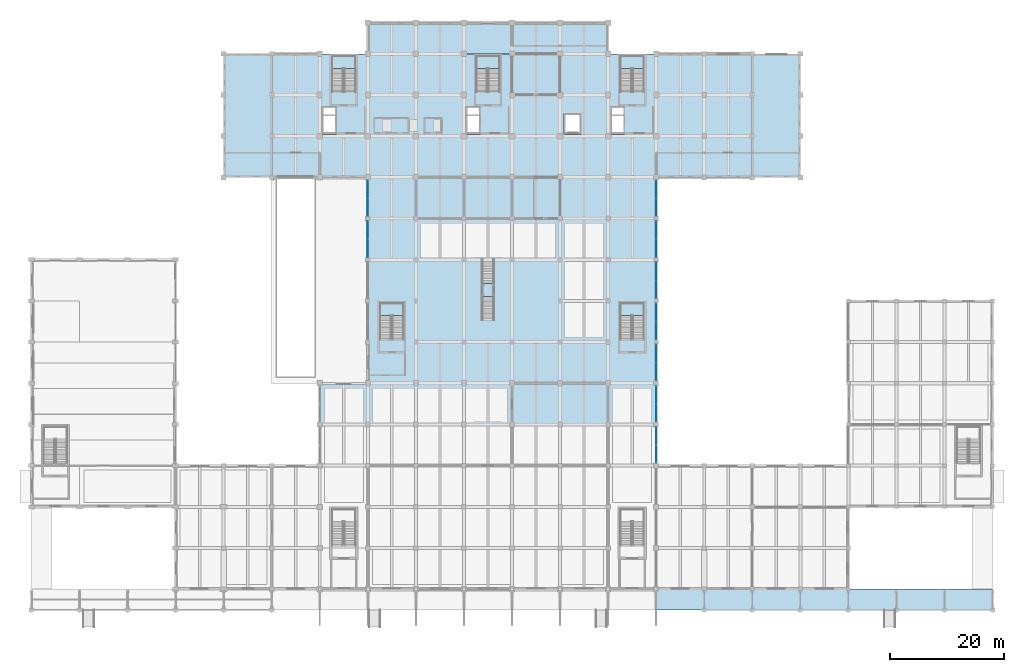
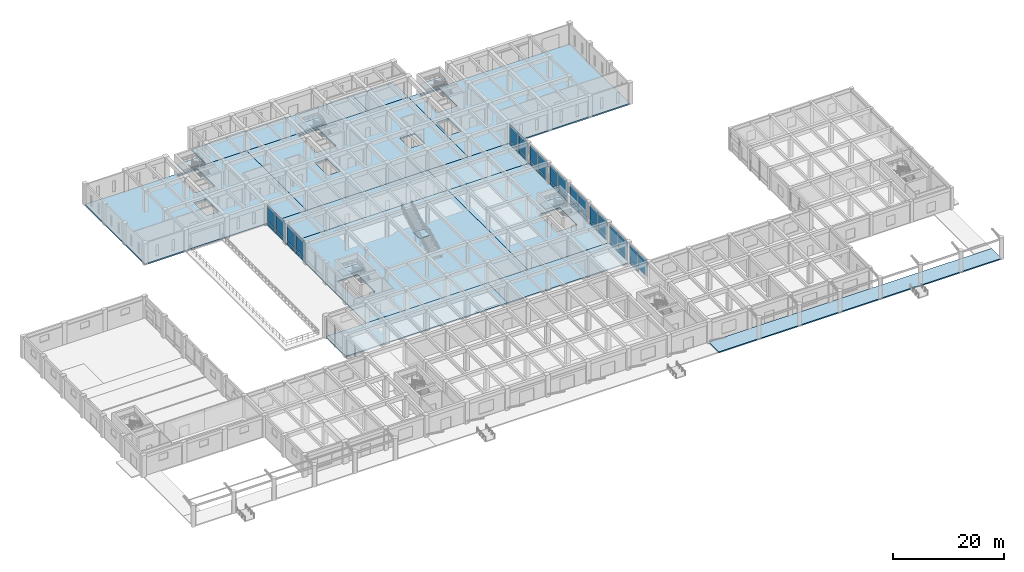
# One storey, part 20 of 49: 35 plates, 18 slabs, 15 elements without a shape of their own.
"""IFC4 building model written with IfcOpenShell, lengths in metres."""

from ifc_helpers import new_model, si_unit, direction, frame, origin, origin_2d, place, context, subcontext, project, spatial, polyline, rectangle, outline, extrude, material, layer, layer_set, type_object, element, aggregate, save


model = new_model("IFC4")

# Units and contexts
model_context = context("Model", 3, precision=1e-05, world=origin(), true_north=direction((0.0, 1.0)))
body_context = subcontext(model_context, "Body", "Model", "MODEL_VIEW")
ifc_project = project(units=[si_unit("LENGTHUNIT", "METRE"), si_unit("AREAUNIT", "SQUARE_METRE"), si_unit("VOLUMEUNIT", "CUBIC_METRE"), si_unit("PLANEANGLEUNIT", "RADIAN"), si_unit("MASSUNIT", "GRAM", prefix="KILO")], contexts=[model_context])

# Site, building, storey
site_placement = place(None, origin())
site = spatial("IfcSite", under=ifc_project, at=site_placement, CompositionType="ELEMENT")
building_placement = place(site_placement, origin())
building = spatial("IfcBuilding", under=site, at=building_placement, Name="Kenerak Square Central Library", CompositionType="ELEMENT")
storey_placement = place(building_placement, origin())
storey = spatial("IfcBuildingStorey", under=building, at=storey_placement, Name="L00", CompositionType="ELEMENT", Elevation=0.0)

# Slabs
ifc_material_1 = material(Name="Concrete C40/50", Category="concrete")
ifc_layer_1 = layer(ifc_material_1, 0.25)
ifc_layer_set_1 = layer_set([ifc_layer_1], Name="Concrete C40/50")
slab_type_1 = type_object("IfcSlabType", Name="Auditorium and Foyer Concourse Slab FS-250 C40/50", PredefinedType="FLOOR", material=ifc_layer_set_1)
slab_1_placement = place(storey_placement, frame((0.0, 0.0, -0.25)))
element("IfcSlab", 1, at=slab_1_placement, inside=storey, type_object=slab_type_1, Name="V1 Floor Slab L00 003", PredefinedType="FLOOR", context=body_context, shape_type="SweptSolid", body=[
    extrude(outline(polyline([(92.0, 45.60009765625), (92.0, 52.800048828125), (58.39990234375, 52.800048828125), (58.39990234375, 45.60009765625), (92.0, 45.60009765625)])), origin(), (0.0, 0.0, 1.0), 0.25),
])
slab_2_placement = place(storey_placement, frame((0.0, 0.0, -0.25)))
element("IfcSlab", 2, at=slab_2_placement, inside=storey, type_object=slab_type_1, Name="V1 Floor Slab L00 006", PredefinedType="FLOOR", context=body_context, shape_type="SweptSolid", body=[
    extrude(outline(polyline([(117.199951171875, 45.60009765625), (117.199951171875, 52.800048828125), (92.0, 52.800048828125), (92.0, 45.60009765625), (117.199951171875, 45.60009765625)])), origin(), (0.0, 0.0, 1.0), 0.25),
])
ifc_layer_2 = layer(ifc_material_1, 0.300048828125)
ifc_layer_set_2 = layer_set([ifc_layer_2], Name="Concrete C40/50")
slab_type_2 = type_object("IfcSlabType", Name="Compact-Shelving Vault Slab FS-300 C40/50", PredefinedType="FLOOR", material=ifc_layer_set_2)
slab_3_placement = place(storey_placement, frame((0.0, 0.0, -0.300048828125)))
element("IfcSlab", 3, at=slab_3_placement, inside=storey, type_object=slab_type_2, Name="V5 Floor Slab L00 070", PredefinedType="FLOOR", context=body_context, shape_type="SweptSolid", body=[
    extrude(outline(polyline([(75.199951171875, 88.800048828125), (75.199951171875, 110.39990234375), (41.60009765625, 110.39990234375), (41.60009765625, 88.800048828125), (75.199951171875, 88.800048828125)]), holes=[polyline([(64.679931640625, 103.64990234375), (64.679931640625, 110.0), (60.52001953125, 110.0), (60.52001953125, 103.64990234375), (64.679931640625, 103.64990234375)]), polyline([(58.800048828125, 96.39990234375), (61.300048828125, 96.39990234375), (61.300048828125, 101.0), (58.800048828125, 101.0), (58.800048828125, 96.39990234375)])]), origin(), (0.0, 0.0, 1.0), 0.300048828125),
])
slab_4_placement = place(storey_placement, frame((0.0, 0.0, -0.300048828125)))
element("IfcSlab", 4, at=slab_4_placement, inside=storey, type_object=slab_type_2, Name="V5 Floor Slab L00 071", PredefinedType="FLOOR", context=body_context, shape_type="SweptSolid", body=[
    extrude(outline(polyline([(108.800048828125, 88.800048828125), (108.800048828125, 110.39990234375), (75.199951171875, 110.39990234375), (75.199951171875, 88.800048828125), (108.800048828125, 88.800048828125)]), holes=[polyline([(89.8798828125, 103.64990234375), (89.8798828125, 110.0), (85.719970703125, 110.0), (85.719970703125, 103.64990234375), (89.8798828125, 103.64990234375)]), polyline([(84.0, 96.39990234375), (86.5, 96.39990234375), (86.5, 101.0), (84.0, 101.0), (84.0, 96.39990234375)]), polyline([(101.10009765625, 96.39990234375), (104.10009765625, 96.39990234375), (104.10009765625, 100.0), (101.10009765625, 100.0), (101.10009765625, 96.39990234375)])]), origin(), (0.0, 0.0, 1.0), 0.300048828125),
])
slab_5_placement = place(storey_placement, frame((0.0, 0.0, -0.300048828125)))
element("IfcSlab", 5, at=slab_5_placement, inside=storey, type_object=slab_type_2, Name="V5 Floor Slab L00 072", PredefinedType="FLOOR", context=body_context, shape_type="SweptSolid", body=[
    extrude(outline(polyline([(142.39990234375, 88.800048828125), (142.39990234375, 110.39990234375), (108.800048828125, 110.39990234375), (108.800048828125, 88.800048828125), (142.39990234375, 88.800048828125)]), holes=[polyline([(115.080078125, 103.64990234375), (115.080078125, 110.0), (110.919921875, 110.0), (110.919921875, 103.64990234375), (115.080078125, 103.64990234375)]), polyline([(109.199951171875, 96.39990234375), (111.699951171875, 96.39990234375), (111.699951171875, 101.0), (109.199951171875, 101.0), (109.199951171875, 96.39990234375)])]), origin(), (0.0, 0.0, 1.0), 0.300048828125),
])
slab_6_placement = place(storey_placement, frame((0.0, 0.0, -0.300048828125)))
element("IfcSlab", 6, at=slab_6_placement, inside=storey, type_object=slab_type_2, Name="V5 Floor Slab L00 073", PredefinedType="FLOOR", context=body_context, shape_type="SweptSolid", body=[
    extrude(outline(polyline([(100.39990234375, 110.39990234375), (100.39990234375, 115.800048828125), (66.800048828125, 115.800048828125), (66.800048828125, 110.39990234375), (100.39990234375, 110.39990234375)])), origin(), (0.0, 0.0, 1.0), 0.300048828125),
])
slab_7_placement = place(storey_placement, frame((0.0, 0.0, -0.300048828125)))
element("IfcSlab", 7, at=slab_7_placement, inside=storey, type_object=slab_type_2, Name="V5 Floor Slab L00 074", PredefinedType="FLOOR", context=body_context, shape_type="SweptSolid", body=[
    extrude(outline(polyline([(108.800048828125, 110.39990234375), (108.800048828125, 115.800048828125), (100.39990234375, 115.800048828125), (100.39990234375, 110.39990234375), (108.800048828125, 110.39990234375)])), origin(), (0.0, 0.0, 1.0), 0.300048828125),
])
ifc_layer_3 = layer(ifc_material_1, 0.22509765625)
ifc_layer_set_3 = layer_set([ifc_layer_3], Name="Concrete C40/50")
slab_type_3 = type_object("IfcSlabType", Name="General Reading Room Slab FS-225 C40/50", PredefinedType="FLOOR", material=ifc_layer_set_3)
slab_8_placement = place(storey_placement, frame((0.0, 0.0, -0.22509765625)))
element("IfcSlab", 8, at=slab_8_placement, inside=storey, type_object=slab_type_3, Name="V4 Floor Slab L00 036", PredefinedType="FLOOR", context=body_context, shape_type="SweptSolid", body=[
    extrude(outline(polyline([(100.39990234375, 52.800048828125), (100.39990234375, 81.60009765625), (66.800048828125, 81.60009765625), (66.800048828125, 52.800048828125), (100.39990234375, 52.800048828125)]), holes=[polyline([(73.080078125, 60.449951171875), (73.080078125, 66.800048828125), (68.919921875, 66.800048828125), (68.919921875, 60.449951171875), (73.080078125, 60.449951171875)])]), origin(), (0.0, 0.0, 1.0), 0.22509765625),
])
slab_9_placement = place(storey_placement, frame((0.0, 0.0, -0.22509765625)))
element("IfcSlab", 9, at=slab_9_placement, inside=storey, type_object=slab_type_3, Name="V4 Floor Slab L00 037", PredefinedType="FLOOR", context=body_context, shape_type="SweptSolid", body=[
    extrude(outline(polyline([(100.39990234375, 81.60009765625), (100.39990234375, 88.800048828125), (66.800048828125, 88.800048828125), (66.800048828125, 81.60009765625), (100.39990234375, 81.60009765625)])), origin(), (0.0, 0.0, 1.0), 0.22509765625),
])
slab_10_placement = place(storey_placement, frame((0.0, 0.0, -0.22509765625)))
element("IfcSlab", 10, at=slab_10_placement, inside=storey, type_object=slab_type_3, Name="V4 Floor Slab L00 038", PredefinedType="FLOOR", context=body_context, shape_type="SweptSolid", body=[
    extrude(outline(polyline([(117.199951171875, 52.800048828125), (117.199951171875, 81.60009765625), (100.39990234375, 81.60009765625), (100.39990234375, 52.800048828125), (117.199951171875, 52.800048828125)]), holes=[polyline([(115.080078125, 60.449951171875), (115.080078125, 66.800048828125), (110.919921875, 66.800048828125), (110.919921875, 60.449951171875), (115.080078125, 60.449951171875)])]), origin(), (0.0, 0.0, 1.0), 0.22509765625),
])
slab_11_placement = place(storey_placement, frame((0.0, 0.0, -0.22509765625)))
element("IfcSlab", 11, at=slab_11_placement, inside=storey, type_object=slab_type_3, Name="V4 Floor Slab L00 039", PredefinedType="FLOOR", context=body_context, shape_type="SweptSolid", body=[
    extrude(outline(polyline([(117.199951171875, 81.60009765625), (117.199951171875, 88.800048828125), (100.39990234375, 88.800048828125), (100.39990234375, 81.60009765625), (117.199951171875, 81.60009765625)])), origin(), (0.0, 0.0, 1.0), 0.22509765625),
])

# Curtain wall, plates
ifc_material_2 = material(Name="Anodised aluminium and solar-control low-E glazing", Category="aluminium")
curtain_wall_type_1 = type_object("IfcCurtainWallType", Name="Curtain Wall CW-V4-64x45 6400x4525", PredefinedType="USERDEFINED", material=ifc_material_2)
curtain_wall_1_placement = place(storey_placement, origin())
curtain_wall_1 = element("IfcCurtainWall", 12, at=curtain_wall_1_placement, inside=storey, type_object=curtain_wall_type_1, Name="Curtain Wall CW-V4-64x45 L00 0005", ObjectType="CURTAIN WALL", PredefinedType="USERDEFINED")
ifc_material_3 = material(Name="Solar-control low-E laminated double glazing", Category="glass")
ifc_layer_4 = layer(ifc_material_3, 0.02392578125)
ifc_layer_set_4 = layer_set([ifc_layer_4], Name="Solar-control low-E laminated double glazing")
plate_type_1 = type_object("IfcPlateType", Name="Low-E Double Glazed Curtain Panel CP-24", PredefinedType="CURTAIN_PANEL", material=ifc_layer_set_4)
plate_1_placement = place(storey_placement, frame((66.800048828125, 76.416259765625, 0.06494140625), z_axis=(0.0, 0.0, 1.0), x_axis=(0.0, 1.0, 0.0)))
plate_1 = element("IfcPlate", 13, at=plate_1_placement, type_object=plate_type_1, Name="CW-V4-64x45 Panel 1.1", PredefinedType="CURTAIN_PANEL", context=body_context, shape_type="SweptSolid", body=[
    extrude(rectangle(XDim=3.1025390625, YDim=0.02392578125, at=origin_2d()), origin(), (0.0, 0.0, 1.0), 0.802490234375),
])
plate_2_placement = place(storey_placement, frame((66.800048828125, 76.416259765625, 0.9326171875), z_axis=(0.0, 0.0, 1.0), x_axis=(0.0, 1.0, 0.0)))
plate_2 = element("IfcPlate", 14, at=plate_2_placement, type_object=plate_type_1, Name="CW-V4-64x45 Panel 1.2", PredefinedType="CURTAIN_PANEL", context=body_context, shape_type="SweptSolid", body=[
    extrude(rectangle(XDim=3.1025390625, YDim=0.02392578125, at=origin_2d()), origin(), (0.0, 0.0, 1.0), 3.527587890625),
])
plate_3_placement = place(storey_placement, frame((66.800048828125, 79.583740234375, 0.06494140625), z_axis=(0.0, 0.0, 1.0), x_axis=(0.0, 1.0, 0.0)))
plate_3 = element("IfcPlate", 15, at=plate_3_placement, type_object=plate_type_1, Name="CW-V4-64x45 Panel 2.1", PredefinedType="CURTAIN_PANEL", context=body_context, shape_type="SweptSolid", body=[
    extrude(rectangle(XDim=3.1025390625, YDim=0.02392578125, at=origin_2d()), origin(), (0.0, 0.0, 1.0), 0.802490234375),
])
plate_4_placement = place(storey_placement, frame((66.800048828125, 79.583740234375, 0.9326171875), z_axis=(0.0, 0.0, 1.0), x_axis=(0.0, 1.0, 0.0)))
plate_4 = element("IfcPlate", 16, at=plate_4_placement, type_object=plate_type_1, Name="CW-V4-64x45 Panel 2.2", PredefinedType="CURTAIN_PANEL", context=body_context, shape_type="SweptSolid", body=[
    extrude(rectangle(XDim=3.1025390625, YDim=0.02392578125, at=origin_2d()), origin(), (0.0, 0.0, 1.0), 3.527587890625),
])
aggregate(curtain_wall_1, [plate_1, plate_2, plate_3, plate_4])

curtain_wall_type_2 = type_object("IfcCurtainWallType", Name="Curtain Wall CW-V4-63x45 6300x4525", PredefinedType="USERDEFINED", material=ifc_material_2)
curtain_wall_2_placement = place(storey_placement, origin())
curtain_wall_2 = element("IfcCurtainWall", 17, at=curtain_wall_2_placement, inside=storey, type_object=curtain_wall_type_2, Name="Curtain Wall CW-V4-63x45 L00 0006", ObjectType="CURTAIN WALL", PredefinedType="USERDEFINED")
plate_5_placement = place(storey_placement, frame((66.800048828125, 83.59130859375, 0.06494140625), z_axis=(0.0, 0.0, 1.0), x_axis=(0.0, 1.0, 0.0)))
plate_5 = element("IfcPlate", 18, at=plate_5_placement, type_object=plate_type_1, Name="CW-V4-63x45 Panel 1.1", PredefinedType="CURTAIN_PANEL", context=body_context, shape_type="SweptSolid", body=[
    extrude(rectangle(XDim=3.052490234375, YDim=0.02392578125, at=origin_2d()), origin(), (0.0, 0.0, 1.0), 0.802490234375),
])
plate_6_placement = place(storey_placement, frame((66.800048828125, 83.59130859375, 0.9326171875), z_axis=(0.0, 0.0, 1.0), x_axis=(0.0, 1.0, 0.0)))
plate_6 = element("IfcPlate", 19, at=plate_6_placement, type_object=plate_type_1, Name="CW-V4-63x45 Panel 1.2", PredefinedType="CURTAIN_PANEL", context=body_context, shape_type="SweptSolid", body=[
    extrude(rectangle(XDim=3.052490234375, YDim=0.02392578125, at=origin_2d()), origin(), (0.0, 0.0, 1.0), 3.527587890625),
])
plate_7_placement = place(storey_placement, frame((66.800048828125, 86.708740234375, 0.06494140625), z_axis=(0.0, 0.0, 1.0), x_axis=(0.0, 1.0, 0.0)))
plate_7 = element("IfcPlate", 20, at=plate_7_placement, type_object=plate_type_1, Name="CW-V4-63x45 Panel 2.1", PredefinedType="CURTAIN_PANEL", context=body_context, shape_type="SweptSolid", body=[
    extrude(rectangle(XDim=3.052490234375, YDim=0.02392578125, at=origin_2d()), origin(), (0.0, 0.0, 1.0), 0.802490234375),
])
plate_8_placement = place(storey_placement, frame((66.800048828125, 86.708740234375, 0.9326171875), z_axis=(0.0, 0.0, 1.0), x_axis=(0.0, 1.0, 0.0)))
plate_8 = element("IfcPlate", 21, at=plate_8_placement, type_object=plate_type_1, Name="CW-V4-63x45 Panel 2.2", PredefinedType="CURTAIN_PANEL", context=body_context, shape_type="SweptSolid", body=[
    extrude(rectangle(XDim=3.052490234375, YDim=0.02392578125, at=origin_2d()), origin(), (0.0, 0.0, 1.0), 3.527587890625),
])
aggregate(curtain_wall_2, [plate_5, plate_6, plate_7, plate_8])

curtain_wall_3_placement = place(storey_placement, origin())
curtain_wall_3 = element("IfcCurtainWall", 22, at=curtain_wall_3_placement, inside=storey, type_object=curtain_wall_type_2, Name="Curtain Wall CW-V4-63x45 L00 0007", ObjectType="CURTAIN WALL", PredefinedType="USERDEFINED")
plate_9_placement = place(storey_placement, frame((117.199951171875, 86.708740234375, 0.06494140625), z_axis=(0.0, 0.0, 1.0), x_axis=(0.0, -1.0, 0.0)))
plate_9 = element("IfcPlate", 23, at=plate_9_placement, type_object=plate_type_1, Name="CW-V4-63x45 Panel 1.1", PredefinedType="CURTAIN_PANEL", context=body_context, shape_type="SweptSolid", body=[
    extrude(rectangle(XDim=3.052490234375, YDim=0.02392578125, at=origin_2d()), origin(), (0.0, 0.0, 1.0), 0.802490234375),
])
plate_10_placement = place(storey_placement, frame((117.199951171875, 86.708740234375, 0.9326171875), z_axis=(0.0, 0.0, 1.0), x_axis=(0.0, -1.0, 0.0)))
plate_10 = element("IfcPlate", 24, at=plate_10_placement, type_object=plate_type_1, Name="CW-V4-63x45 Panel 1.2", PredefinedType="CURTAIN_PANEL", context=body_context, shape_type="SweptSolid", body=[
    extrude(rectangle(XDim=3.052490234375, YDim=0.02392578125, at=origin_2d()), origin(), (0.0, 0.0, 1.0), 3.527587890625),
])
plate_11_placement = place(storey_placement, frame((117.199951171875, 83.59130859375, 0.06494140625), z_axis=(0.0, 0.0, 1.0), x_axis=(0.0, -1.0, 0.0)))
plate_11 = element("IfcPlate", 25, at=plate_11_placement, type_object=plate_type_1, Name="CW-V4-63x45 Panel 2.1", PredefinedType="CURTAIN_PANEL", context=body_context, shape_type="SweptSolid", body=[
    extrude(rectangle(XDim=3.052490234375, YDim=0.02392578125, at=origin_2d()), origin(), (0.0, 0.0, 1.0), 0.802490234375),
])
plate_12_placement = place(storey_placement, frame((117.199951171875, 83.59130859375, 0.9326171875), z_axis=(0.0, 0.0, 1.0), x_axis=(0.0, -1.0, 0.0)))
plate_12 = element("IfcPlate", 26, at=plate_12_placement, type_object=plate_type_1, Name="CW-V4-63x45 Panel 2.2", PredefinedType="CURTAIN_PANEL", context=body_context, shape_type="SweptSolid", body=[
    extrude(rectangle(XDim=3.052490234375, YDim=0.02392578125, at=origin_2d()), origin(), (0.0, 0.0, 1.0), 3.527587890625),
])
aggregate(curtain_wall_3, [plate_9, plate_10, plate_11, plate_12])

curtain_wall_4_placement = place(storey_placement, origin())
curtain_wall_4 = element("IfcCurtainWall", 27, at=curtain_wall_4_placement, inside=storey, type_object=curtain_wall_type_1, Name="Curtain Wall CW-V4-64x45 L00 0008", ObjectType="CURTAIN WALL", PredefinedType="USERDEFINED")
plate_13_placement = place(storey_placement, frame((117.199951171875, 79.583740234375, 0.06494140625), z_axis=(0.0, 0.0, 1.0), x_axis=(0.0, -1.0, 0.0)))
plate_13 = element("IfcPlate", 28, at=plate_13_placement, type_object=plate_type_1, Name="CW-V4-64x45 Panel 1.1", PredefinedType="CURTAIN_PANEL", context=body_context, shape_type="SweptSolid", body=[
    extrude(rectangle(XDim=3.1025390625, YDim=0.02392578125, at=origin_2d()), origin(), (0.0, 0.0, 1.0), 0.802490234375),
])
plate_14_placement = place(storey_placement, frame((117.199951171875, 79.583740234375, 0.9326171875), z_axis=(0.0, 0.0, 1.0), x_axis=(0.0, -1.0, 0.0)))
plate_14 = element("IfcPlate", 29, at=plate_14_placement, type_object=plate_type_1, Name="CW-V4-64x45 Panel 1.2", PredefinedType="CURTAIN_PANEL", context=body_context, shape_type="SweptSolid", body=[
    extrude(rectangle(XDim=3.1025390625, YDim=0.02392578125, at=origin_2d()), origin(), (0.0, 0.0, 1.0), 3.527587890625),
])
plate_15_placement = place(storey_placement, frame((117.199951171875, 76.416259765625, 0.06494140625), z_axis=(0.0, 0.0, 1.0), x_axis=(0.0, -1.0, 0.0)))
plate_15 = element("IfcPlate", 30, at=plate_15_placement, type_object=plate_type_1, Name="CW-V4-64x45 Panel 2.1", PredefinedType="CURTAIN_PANEL", context=body_context, shape_type="SweptSolid", body=[
    extrude(rectangle(XDim=3.1025390625, YDim=0.02392578125, at=origin_2d()), origin(), (0.0, 0.0, 1.0), 0.802490234375),
])
plate_16_placement = place(storey_placement, frame((117.199951171875, 76.416259765625, 0.9326171875), z_axis=(0.0, 0.0, 1.0), x_axis=(0.0, -1.0, 0.0)))
plate_16 = element("IfcPlate", 31, at=plate_16_placement, type_object=plate_type_1, Name="CW-V4-64x45 Panel 2.2", PredefinedType="CURTAIN_PANEL", context=body_context, shape_type="SweptSolid", body=[
    extrude(rectangle(XDim=3.1025390625, YDim=0.02392578125, at=origin_2d()), origin(), (0.0, 0.0, 1.0), 3.527587890625),
])
aggregate(curtain_wall_4, [plate_13, plate_14, plate_15, plate_16])

curtain_wall_5_placement = place(storey_placement, origin())
curtain_wall_5 = element("IfcCurtainWall", 32, at=curtain_wall_5_placement, inside=storey, type_object=curtain_wall_type_1, Name="Curtain Wall CW-V4-64x45 L00 0009", ObjectType="CURTAIN WALL", PredefinedType="USERDEFINED")
plate_17_placement = place(storey_placement, frame((117.199951171875, 72.3837890625, 0.06494140625), z_axis=(0.0, 0.0, 1.0), x_axis=(0.0, -1.0, 0.0)))
plate_17 = element("IfcPlate", 33, at=plate_17_placement, type_object=plate_type_1, Name="CW-V4-64x45 Panel 1.1", PredefinedType="CURTAIN_PANEL", context=body_context, shape_type="SweptSolid", body=[
    extrude(rectangle(XDim=3.1025390625, YDim=0.02392578125, at=origin_2d()), origin(), (0.0, 0.0, 1.0), 0.802490234375),
])
plate_18_placement = place(storey_placement, frame((117.199951171875, 72.3837890625, 0.9326171875), z_axis=(0.0, 0.0, 1.0), x_axis=(0.0, -1.0, 0.0)))
plate_18 = element("IfcPlate", 34, at=plate_18_placement, type_object=plate_type_1, Name="CW-V4-64x45 Panel 1.2", PredefinedType="CURTAIN_PANEL", context=body_context, shape_type="SweptSolid", body=[
    extrude(rectangle(XDim=3.1025390625, YDim=0.02392578125, at=origin_2d()), origin(), (0.0, 0.0, 1.0), 3.527587890625),
])
plate_19_placement = place(storey_placement, frame((117.199951171875, 69.21630859375, 0.06494140625), z_axis=(0.0, 0.0, 1.0), x_axis=(0.0, -1.0, 0.0)))
plate_19 = element("IfcPlate", 35, at=plate_19_placement, type_object=plate_type_1, Name="CW-V4-64x45 Panel 2.1", PredefinedType="CURTAIN_PANEL", context=body_context, shape_type="SweptSolid", body=[
    extrude(rectangle(XDim=3.1025390625, YDim=0.02392578125, at=origin_2d()), origin(), (0.0, 0.0, 1.0), 0.802490234375),
])
plate_20_placement = place(storey_placement, frame((117.199951171875, 69.21630859375, 0.9326171875), z_axis=(0.0, 0.0, 1.0), x_axis=(0.0, -1.0, 0.0)))
plate_20 = element("IfcPlate", 36, at=plate_20_placement, type_object=plate_type_1, Name="CW-V4-64x45 Panel 2.2", PredefinedType="CURTAIN_PANEL", context=body_context, shape_type="SweptSolid", body=[
    extrude(rectangle(XDim=3.1025390625, YDim=0.02392578125, at=origin_2d()), origin(), (0.0, 0.0, 1.0), 3.527587890625),
])
aggregate(curtain_wall_5, [plate_17, plate_18, plate_19, plate_20])

curtain_wall_6_placement = place(storey_placement, origin())
curtain_wall_6 = element("IfcCurtainWall", 37, at=curtain_wall_6_placement, inside=storey, type_object=curtain_wall_type_1, Name="Curtain Wall CW-V4-64x45 L00 0010", ObjectType="CURTAIN WALL", PredefinedType="USERDEFINED")
plate_21_placement = place(storey_placement, frame((117.199951171875, 65.183837890625, 0.06494140625), z_axis=(0.0, 0.0, 1.0), x_axis=(0.0, -1.0, 0.0)))
plate_21 = element("IfcPlate", 38, at=plate_21_placement, type_object=plate_type_1, Name="CW-V4-64x45 Panel 1.1", PredefinedType="CURTAIN_PANEL", context=body_context, shape_type="SweptSolid", body=[
    extrude(rectangle(XDim=3.1025390625, YDim=0.02392578125, at=origin_2d()), origin(), (0.0, 0.0, 1.0), 0.802490234375),
])
plate_22_placement = place(storey_placement, frame((117.199951171875, 65.183837890625, 0.9326171875), z_axis=(0.0, 0.0, 1.0), x_axis=(0.0, -1.0, 0.0)))
plate_22 = element("IfcPlate", 39, at=plate_22_placement, type_object=plate_type_1, Name="CW-V4-64x45 Panel 1.2", PredefinedType="CURTAIN_PANEL", context=body_context, shape_type="SweptSolid", body=[
    extrude(rectangle(XDim=3.1025390625, YDim=0.02392578125, at=origin_2d()), origin(), (0.0, 0.0, 1.0), 3.527587890625),
])
plate_23_placement = place(storey_placement, frame((117.199951171875, 62.016357421875, 0.06494140625), z_axis=(0.0, 0.0, 1.0), x_axis=(0.0, -1.0, 0.0)))
plate_23 = element("IfcPlate", 40, at=plate_23_placement, type_object=plate_type_1, Name="CW-V4-64x45 Panel 2.1", PredefinedType="CURTAIN_PANEL", context=body_context, shape_type="SweptSolid", body=[
    extrude(rectangle(XDim=3.1025390625, YDim=0.02392578125, at=origin_2d()), origin(), (0.0, 0.0, 1.0), 0.802490234375),
])
plate_24_placement = place(storey_placement, frame((117.199951171875, 62.016357421875, 0.9326171875), z_axis=(0.0, 0.0, 1.0), x_axis=(0.0, -1.0, 0.0)))
plate_24 = element("IfcPlate", 41, at=plate_24_placement, type_object=plate_type_1, Name="CW-V4-64x45 Panel 2.2", PredefinedType="CURTAIN_PANEL", context=body_context, shape_type="SweptSolid", body=[
    extrude(rectangle(XDim=3.1025390625, YDim=0.02392578125, at=origin_2d()), origin(), (0.0, 0.0, 1.0), 3.527587890625),
])
aggregate(curtain_wall_6, [plate_21, plate_22, plate_23, plate_24])

curtain_wall_type_3 = type_object("IfcCurtainWallType", Name="Curtain Wall CW-V4-63x45 6350x4525", PredefinedType="USERDEFINED", material=ifc_material_2)
curtain_wall_7_placement = place(storey_placement, origin())
curtain_wall_7 = element("IfcCurtainWall", 42, at=curtain_wall_7_placement, inside=storey, type_object=curtain_wall_type_3, Name="Curtain Wall CW-V4-63x45 L00 0011", ObjectType="CURTAIN WALL", PredefinedType="USERDEFINED")
plate_25_placement = place(storey_placement, frame((117.199951171875, 57.996337890625, 0.06494140625), z_axis=(0.0, 0.0, 1.0), x_axis=(0.0, -1.0, 0.0)))
plate_25 = element("IfcPlate", 43, at=plate_25_placement, type_object=plate_type_1, Name="CW-V4-63x45 Panel 1.1", PredefinedType="CURTAIN_PANEL", context=body_context, shape_type="SweptSolid", body=[
    extrude(rectangle(XDim=3.077392578125, YDim=0.02392578125, at=origin_2d()), origin(), (0.0, 0.0, 1.0), 0.802490234375),
])
plate_26_placement = place(storey_placement, frame((117.199951171875, 57.996337890625, 0.9326171875), z_axis=(0.0, 0.0, 1.0), x_axis=(0.0, -1.0, 0.0)))
plate_26 = element("IfcPlate", 44, at=plate_26_placement, type_object=plate_type_1, Name="CW-V4-63x45 Panel 1.2", PredefinedType="CURTAIN_PANEL", context=body_context, shape_type="SweptSolid", body=[
    extrude(rectangle(XDim=3.077392578125, YDim=0.02392578125, at=origin_2d()), origin(), (0.0, 0.0, 1.0), 3.527587890625),
])
plate_27_placement = place(storey_placement, frame((117.199951171875, 54.853759765625, 0.06494140625), z_axis=(0.0, 0.0, 1.0), x_axis=(0.0, -1.0, 0.0)))
plate_27 = element("IfcPlate", 45, at=plate_27_placement, type_object=plate_type_1, Name="CW-V4-63x45 Panel 2.1", PredefinedType="CURTAIN_PANEL", context=body_context, shape_type="SweptSolid", body=[
    extrude(rectangle(XDim=3.077392578125, YDim=0.02392578125, at=origin_2d()), origin(), (0.0, 0.0, 1.0), 0.802490234375),
])
plate_28_placement = place(storey_placement, frame((117.199951171875, 54.853759765625, 0.9326171875), z_axis=(0.0, 0.0, 1.0), x_axis=(0.0, -1.0, 0.0)))
plate_28 = element("IfcPlate", 46, at=plate_28_placement, type_object=plate_type_1, Name="CW-V4-63x45 Panel 2.2", PredefinedType="CURTAIN_PANEL", context=body_context, shape_type="SweptSolid", body=[
    extrude(rectangle(XDim=3.077392578125, YDim=0.02392578125, at=origin_2d()), origin(), (0.0, 0.0, 1.0), 3.527587890625),
])
aggregate(curtain_wall_7, [plate_25, plate_26, plate_27, plate_28])

# Slab
ifc_layer_5 = layer(ifc_material_1, 0.260009765625)
ifc_layer_set_5 = layer_set([ifc_layer_5], Name="Concrete C40/50")
slab_type_4 = type_object("IfcSlabType", Name="Shaded Square Colonnade Deck Slab CS-260 C40/50", PredefinedType="FLOOR", material=ifc_layer_set_5)
slab_12_placement = place(storey_placement, frame((0.0, 0.0, -0.25)))
element("IfcSlab", 47, at=slab_12_placement, inside=storey, type_object=slab_type_4, Name="South-East Square Colonnade", PredefinedType="FLOOR", context=body_context, shape_type="SweptSolid", body=[
    extrude(outline(polyline([(117.199951171875, 13.199951171875), (176.0, 13.199951171875), (176.0, 16.800048828125), (117.199951171875, 16.800048828125), (117.199951171875, 13.199951171875)])), origin(), (0.0, 0.0, 1.0), 0.25),
])

# Stair, slab
stair_type_1 = type_object("IfcStairType", Name="Exit Dogleg Stair ST-480 C40/50", PredefinedType="HALF_TURN_STAIR", material=ifc_material_1)
stair_1_placement = place(storey_placement, origin())
stair_1 = element("IfcStair", 48, at=stair_1_placement, inside=storey, type_object=stair_type_1, Name="L00 Protected Exit Stair ST-01", PredefinedType="HALF_TURN_STAIR")
ifc_layer_6 = layer(ifc_material_1, 0.199951171875)
ifc_layer_set_6 = layer_set([ifc_layer_6], Name="Concrete C40/50")
slab_type_5 = type_object("IfcSlabType", Name="Stair Half-Landing Slab LD-200 C40/50", PredefinedType="LANDING", material=ifc_layer_set_6)
slab_13_placement = place(storey_placement, frame((0.0, 0.0, 2.199951171875)))
slab_13 = element("IfcSlab", 49, at=slab_13_placement, type_object=slab_type_5, Name="ST-01 Landing 1", PredefinedType="LANDING", context=body_context, shape_type="SweptSolid", body=[
    extrude(outline(polyline([(64.679931640625, 107.85009765625), (64.679931640625, 110.0), (60.52001953125, 110.0), (60.52001953125, 107.85009765625), (64.679931640625, 107.85009765625)])), origin(), (0.0, 0.0, 1.0), 0.199951171875),
])
aggregate(stair_1, [slab_13])

stair_2_placement = place(storey_placement, origin())
stair_2 = element("IfcStair", 50, at=stair_2_placement, inside=storey, type_object=stair_type_1, Name="L00 Protected Exit Stair ST-02", PredefinedType="HALF_TURN_STAIR")
slab_14_placement = place(storey_placement, frame((0.0, 0.0, 2.199951171875)))
slab_14 = element("IfcSlab", 51, at=slab_14_placement, type_object=slab_type_5, Name="ST-02 Landing 1", PredefinedType="LANDING", context=body_context, shape_type="SweptSolid", body=[
    extrude(outline(polyline([(89.8798828125, 107.85009765625), (89.8798828125, 110.0), (85.719970703125, 110.0), (85.719970703125, 107.85009765625), (89.8798828125, 107.85009765625)])), origin(), (0.0, 0.0, 1.0), 0.199951171875),
])
aggregate(stair_2, [slab_14])

stair_3_placement = place(storey_placement, origin())
stair_3 = element("IfcStair", 52, at=stair_3_placement, inside=storey, type_object=stair_type_1, Name="L00 Protected Exit Stair ST-03", PredefinedType="HALF_TURN_STAIR")
slab_15_placement = place(storey_placement, frame((0.0, 0.0, 2.199951171875)))
slab_15 = element("IfcSlab", 53, at=slab_15_placement, type_object=slab_type_5, Name="ST-03 Landing 1", PredefinedType="LANDING", context=body_context, shape_type="SweptSolid", body=[
    extrude(outline(polyline([(115.080078125, 107.85009765625), (115.080078125, 110.0), (110.919921875, 110.0), (110.919921875, 107.85009765625), (115.080078125, 107.85009765625)])), origin(), (0.0, 0.0, 1.0), 0.199951171875),
])
aggregate(stair_3, [slab_15])

stair_4_placement = place(storey_placement, origin())
stair_4 = element("IfcStair", 54, at=stair_4_placement, inside=storey, type_object=stair_type_1, Name="L00 Protected Exit Stair ST-08", PredefinedType="HALF_TURN_STAIR")
slab_16_placement = place(storey_placement, frame((0.0, 0.0, 2.199951171875)))
slab_16 = element("IfcSlab", 55, at=slab_16_placement, type_object=slab_type_5, Name="ST-08 Landing 1", PredefinedType="LANDING", context=body_context, shape_type="SweptSolid", body=[
    extrude(outline(polyline([(73.080078125, 64.64990234375), (73.080078125, 66.800048828125), (68.919921875, 66.800048828125), (68.919921875, 64.64990234375), (73.080078125, 64.64990234375)])), origin(), (0.0, 0.0, 1.0), 0.199951171875),
])
aggregate(stair_4, [slab_16])

stair_5_placement = place(storey_placement, origin())
stair_5 = element("IfcStair", 56, at=stair_5_placement, inside=storey, type_object=stair_type_1, Name="L00 Protected Exit Stair ST-09", PredefinedType="HALF_TURN_STAIR")
slab_17_placement = place(storey_placement, frame((0.0, 0.0, 2.199951171875)))
slab_17 = element("IfcSlab", 57, at=slab_17_placement, type_object=slab_type_5, Name="ST-09 Landing 1", PredefinedType="LANDING", context=body_context, shape_type="SweptSolid", body=[
    extrude(outline(polyline([(115.080078125, 64.64990234375), (115.080078125, 66.800048828125), (110.919921875, 66.800048828125), (110.919921875, 64.64990234375), (115.080078125, 64.64990234375)])), origin(), (0.0, 0.0, 1.0), 0.199951171875),
])
aggregate(stair_5, [slab_17])

ifc_material_4 = material(Name="Steel S355", Category="steel")
stair_type_2 = type_object("IfcStairType", Name="Feature Atrium Stair ST-FEAT S355", PredefinedType="STRAIGHT_RUN_STAIR", material=ifc_material_4)
stair_6_placement = place(storey_placement, origin())
stair_6 = element("IfcStair", 58, at=stair_6_placement, inside=storey, type_object=stair_type_2, Name="Feature Open Stair ST-F1", PredefinedType="STRAIGHT_RUN_STAIR")
slab_18_placement = place(storey_placement, frame((0.0, 0.0, 2.199951171875)))
slab_18 = element("IfcSlab", 59, at=slab_18_placement, type_object=slab_type_5, Name="ST-F1 Landing 1", PredefinedType="LANDING", context=body_context, shape_type="SweptSolid", body=[
    extrude(outline(polyline([(86.699951171875, 68.0), (88.89990234375, 68.0), (88.89990234375, 70.199951171875), (86.699951171875, 70.199951171875), (86.699951171875, 68.0)])), origin(), (0.0, 0.0, 1.0), 0.199951171875),
])
aggregate(stair_6, [slab_18])

# Curtain wall, plates
curtain_wall_type_4 = type_object("IfcCurtainWallType", Name="Curtain Wall CW-V1-63x45 6300x4525", PredefinedType="USERDEFINED", material=ifc_material_2)
curtain_wall_8_placement = place(storey_placement, origin())
curtain_wall_8 = element("IfcCurtainWall", 60, at=curtain_wall_8_placement, inside=storey, type_object=curtain_wall_type_4, Name="Curtain Wall CW-V1-63x45 L00 0012", ObjectType="CURTAIN WALL", PredefinedType="USERDEFINED")
ifc_material_5 = material(Name="Triple-laminated solar-control low-E glazing", Category="glass")
ifc_layer_7 = layer(ifc_material_5, 0.031982421875)
ifc_layer_set_7 = layer_set([ifc_layer_7], Name="Triple-laminated solar-control low-E glazing")
plate_type_2 = type_object("IfcPlateType", Name="Triple-Laminated Reading Hall Panel CP-32", PredefinedType="CURTAIN_PANEL", material=ifc_layer_set_7)
plate_29_placement = place(storey_placement, frame((117.199951171875, 50.75634765625, 0.074951171875), z_axis=(0.0, 0.0, 1.0), x_axis=(0.0, -1.0, 0.0)))
plate_29 = element("IfcPlate", 61, at=plate_29_placement, type_object=plate_type_2, Name="CW-V1-63x45 Panel 1.1", PredefinedType="CURTAIN_PANEL", context=body_context, shape_type="SweptSolid", body=[
    extrude(rectangle(XDim=3.03759765625, YDim=0.031982421875, at=origin_2d()), origin(), (0.0, 0.0, 1.0), 0.78759765625),
])
plate_30_placement = place(storey_placement, frame((117.199951171875, 50.75634765625, 0.9375), z_axis=(0.0, 0.0, 1.0), x_axis=(0.0, -1.0, 0.0)))
plate_30 = element("IfcPlate", 62, at=plate_30_placement, type_object=plate_type_2, Name="CW-V1-63x45 Panel 1.2", PredefinedType="CURTAIN_PANEL", context=body_context, shape_type="SweptSolid", body=[
    extrude(rectangle(XDim=3.03759765625, YDim=0.031982421875, at=origin_2d()), origin(), (0.0, 0.0, 1.0), 3.512451171875),
])
plate_31_placement = place(storey_placement, frame((117.199951171875, 47.643798828125, 0.074951171875), z_axis=(0.0, 0.0, 1.0), x_axis=(0.0, -1.0, 0.0)))
plate_31 = element("IfcPlate", 63, at=plate_31_placement, type_object=plate_type_2, Name="CW-V1-63x45 Panel 2.1", PredefinedType="CURTAIN_PANEL", context=body_context, shape_type="SweptSolid", body=[
    extrude(rectangle(XDim=3.03759765625, YDim=0.031982421875, at=origin_2d()), origin(), (0.0, 0.0, 1.0), 0.78759765625),
])
plate_32_placement = place(storey_placement, frame((117.199951171875, 47.643798828125, 0.9375), z_axis=(0.0, 0.0, 1.0), x_axis=(0.0, -1.0, 0.0)))
plate_32 = element("IfcPlate", 64, at=plate_32_placement, type_object=plate_type_2, Name="CW-V1-63x45 Panel 2.2", PredefinedType="CURTAIN_PANEL", context=body_context, shape_type="SweptSolid", body=[
    extrude(rectangle(XDim=3.03759765625, YDim=0.031982421875, at=origin_2d()), origin(), (0.0, 0.0, 1.0), 3.512451171875),
])
aggregate(curtain_wall_8, [plate_29, plate_30, plate_31, plate_32])

curtain_wall_9_placement = place(storey_placement, origin())
curtain_wall_9 = element("IfcCurtainWall", 65, at=curtain_wall_9_placement, inside=storey, type_object=curtain_wall_type_4, Name="Curtain Wall CW-V1-63x45 L00 0013", ObjectType="CURTAIN WALL", PredefinedType="USERDEFINED")
plate_33_placement = place(storey_placement, frame((117.199951171875, 43.55615234375, 0.074951171875), z_axis=(0.0, 0.0, 1.0), x_axis=(0.0, -1.0, 0.0)))
plate_33 = element("IfcPlate", 66, at=plate_33_placement, type_object=plate_type_2, Name="CW-V1-63x45 Panel 1.1", PredefinedType="CURTAIN_PANEL", context=body_context, shape_type="SweptSolid", body=[
    extrude(rectangle(XDim=3.03759765625, YDim=0.031982421875, at=origin_2d()), origin(), (0.0, 0.0, 1.0), 0.78759765625),
])
plate_34_placement = place(storey_placement, frame((117.199951171875, 43.55615234375, 0.9375), z_axis=(0.0, 0.0, 1.0), x_axis=(0.0, -1.0, 0.0)))
plate_34 = element("IfcPlate", 67, at=plate_34_placement, type_object=plate_type_2, Name="CW-V1-63x45 Panel 1.2", PredefinedType="CURTAIN_PANEL", context=body_context, shape_type="SweptSolid", body=[
    extrude(rectangle(XDim=3.03759765625, YDim=0.031982421875, at=origin_2d()), origin(), (0.0, 0.0, 1.0), 3.512451171875),
])
plate_35_placement = place(storey_placement, frame((117.199951171875, 40.44384765625, 0.9375), z_axis=(0.0, 0.0, 1.0), x_axis=(0.0, -1.0, 0.0)))
plate_35 = element("IfcPlate", 68, at=plate_35_placement, type_object=plate_type_2, Name="CW-V1-63x45 Panel 2.2", PredefinedType="CURTAIN_PANEL", context=body_context, shape_type="SweptSolid", body=[
    extrude(rectangle(XDim=3.03759765625, YDim=0.031982421875, at=origin_2d()), origin(), (0.0, 0.0, 1.0), 3.512451171875),
])
aggregate(curtain_wall_9, [plate_33, plate_34, plate_35])

save(model, "model.ifc")
